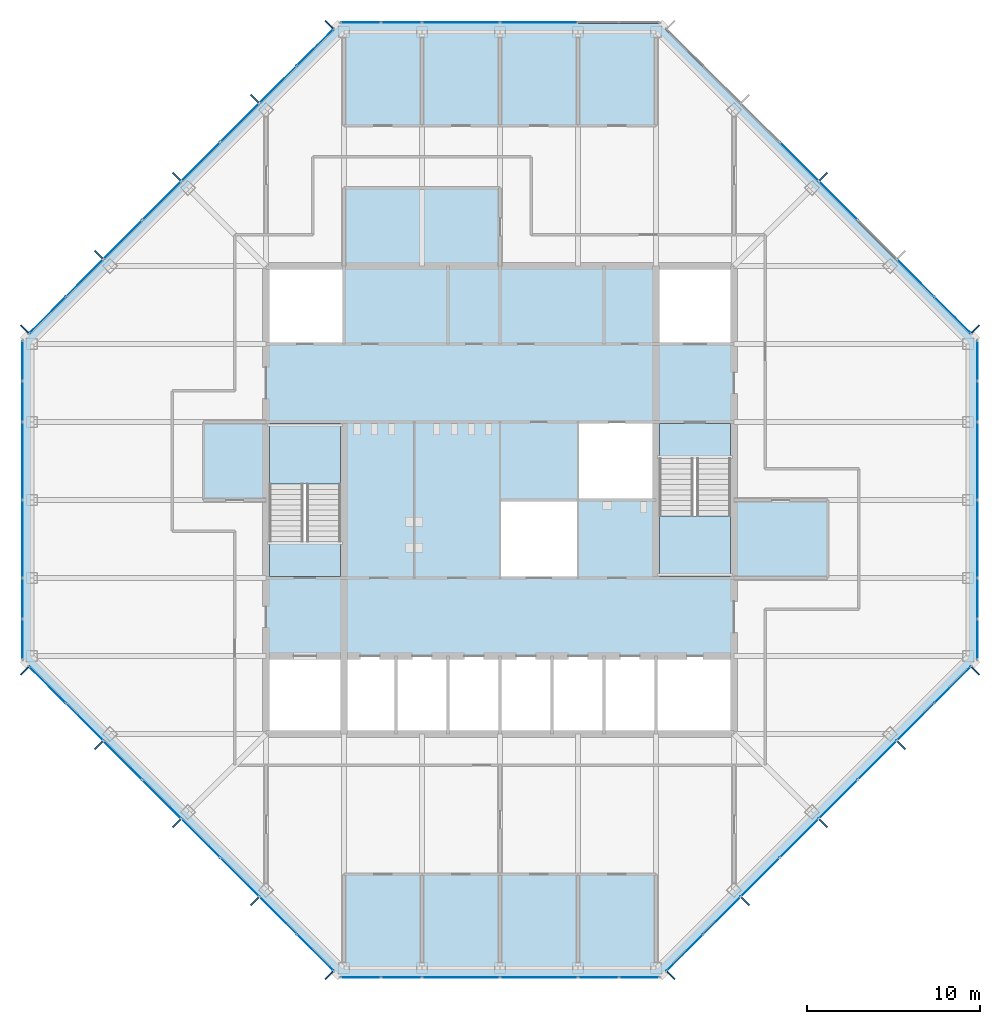
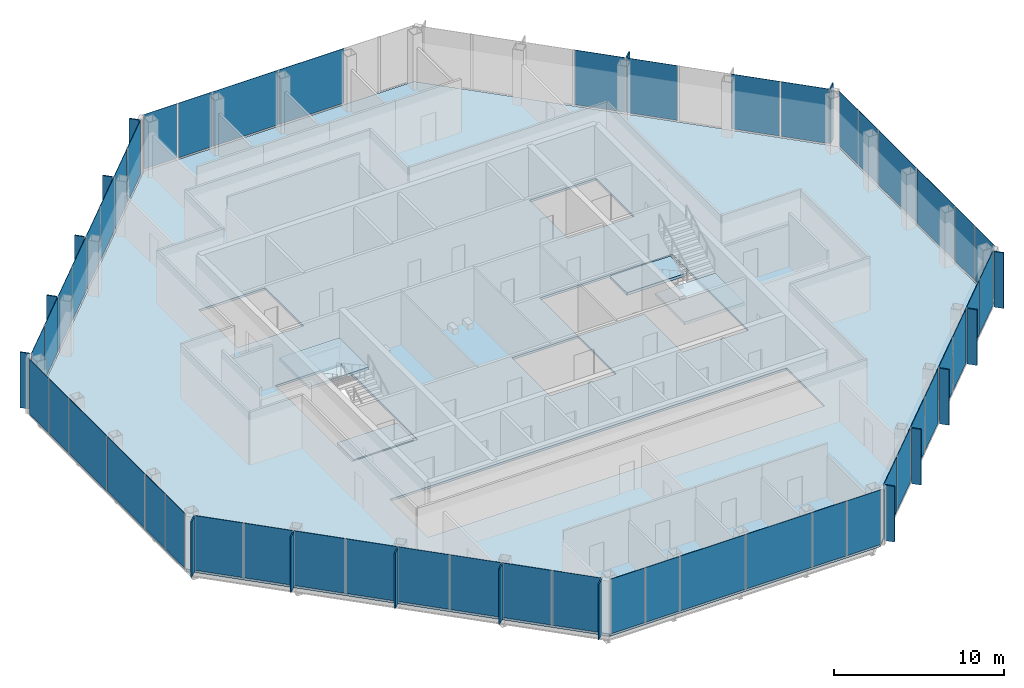
# One storey, part 8 of 14: 67 plates, 5 slabs, 10 elements without a shape of their own.
"""IFC4 building model written with IfcOpenShell, lengths in metres."""

from ifc_helpers import new_model, si_unit, direction, frame, origin, origin_2d, place, context, subcontext, project, spatial, polyline, rectangle, outline, extrude, material, layer, layer_set, type_object, element, aggregate, save


model = new_model("IFC4")

# Units and contexts
model_context = context("Model", 3, precision=1e-05, world=origin(), true_north=direction((0.0, 1.0)))
body_context = subcontext(model_context, "Body", "Model", "MODEL_VIEW")
ifc_project = project(units=[si_unit("LENGTHUNIT", "METRE"), si_unit("AREAUNIT", "SQUARE_METRE"), si_unit("VOLUMEUNIT", "CUBIC_METRE"), si_unit("PLANEANGLEUNIT", "RADIAN"), si_unit("MASSUNIT", "GRAM", prefix="KILO")], contexts=[model_context])

# Site, building, storey
site_placement = place(None, origin())
site = spatial("IfcSite", under=ifc_project, at=site_placement, CompositionType="ELEMENT")
building_placement = place(site_placement, origin())
building = spatial("IfcBuilding", under=site, at=building_placement, Name="Corais Broadcast Tower", CompositionType="ELEMENT")
storey_placement = place(building_placement, frame((0.0, 0.0, 246.60009765625)))
storey = spatial("IfcBuildingStorey", under=building, at=storey_placement, Name="L57", CompositionType="ELEMENT", Elevation=246.60009765625)

# Slab
ifc_material_1 = material(Name="Concrete C30/37", Category="concrete")
ifc_layer_1 = layer(ifc_material_1, 0.159912109375)
ifc_layer_set_1 = layer_set([ifc_layer_1], Name="Concrete C30/37")
slab_type_1 = type_object("IfcSlabType", Name="Composite floor slab 160", PredefinedType="FLOOR", material=ifc_layer_set_1)
slab_1_placement = place(storey_placement, frame((0.0, 0.0, -0.16015625)))
element("IfcSlab", 1, at=slab_1_placement, inside=storey, type_object=slab_type_1, Name="S160 floor slab L57", PredefinedType="FLOOR", context=body_context, shape_type="SweptSolid", body=[
    extrude(outline(polyline([(17.80126953125, -0.47998046875), (-0.47998046875, 17.80126953125), (-0.47998046875, 36.19873046875), (17.80126953125, 54.47998046875), (36.19873046875, 54.47998046875), (54.47998046875, 36.19873046875), (54.47998046875, 17.80126953125), (36.19873046875, -0.47998046875), (17.80126953125, -0.47998046875)]), holes=[polyline([(13.5, 18.0), (40.5, 18.0), (40.5, 13.5), (13.5, 13.5), (13.5, 18.0)]), polyline([(18.0, 22.5), (13.5, 22.5), (13.5, 31.5), (18.0, 31.5), (18.0, 22.5)]), polyline([(18.0, 36.0), (13.5, 36.0), (13.5, 40.5), (18.0, 40.5), (18.0, 36.0)]), polyline([(31.5, 22.5), (27.0, 22.5), (27.0, 27.0), (31.4951171875, 27.0), (31.4951171875, 27.0048828125), (31.5, 27.0048828125), (31.5, 31.5), (40.5, 31.5), (40.5, 22.5), (36.0, 22.5), (36.0, 27.0), (31.5048828125, 27.0), (31.5048828125, 26.9951171875), (31.5, 26.9951171875), (31.5, 22.5)]), polyline([(40.5, 36.0), (36.0, 36.0), (36.0, 40.5), (40.5, 40.5), (40.5, 36.0)])]), origin(), (0.0, 0.0, 1.0), 0.16015625),
])

# Curtain wall, plates
ifc_material_2 = material(Name="Aluminium and glass", Category="aluminium")
curtain_wall_type = type_object("IfcCurtainWallType", Name="Unitised fritted curtain wall CW3", PredefinedType="NOTDEFINED", material=ifc_material_2)
curtain_wall_1_placement = place(storey_placement, origin())
curtain_wall_1 = element("IfcCurtainWall", 2, at=curtain_wall_1_placement, inside=storey, type_object=curtain_wall_type, Name="CW3 curtain wall L57 1", PredefinedType="NOTDEFINED")
ifc_material_3 = material(Name="Ceramic-fritted laminated glass", Category="glass")
ifc_layer_2 = layer(ifc_material_3, 0.02587890625)
ifc_layer_set_2 = layer_set([ifc_layer_2], Name="Ceramic-fritted laminated glass")
plate_type_1 = type_object("IfcPlateType", Name="Fritted glass panel CW3", PredefinedType="CURTAIN_PANEL", material=ifc_layer_set_2)
plate_1_placement = place(storey_placement, frame((16.330322265625, 0.891845703125, 0.06494140625), z_axis=(0.0, 0.0, 1.0), x_axis=(-0.707106781187, 0.707106781187, 0.0)))
plate_1 = element("IfcPlate", 3, at=plate_1_placement, type_object=plate_type_1, Name="CW3 panel 1", PredefinedType="CURTAIN_PANEL", context=body_context, shape_type="SweptSolid", body=[
    extrude(rectangle(XDim=2.9482421875, YDim=0.02587890625, at=origin_2d()), origin(), (0.0, 0.0, 1.0), 3.93505859375),
])
plate_2_placement = place(storey_placement, frame((11.986083984375, 5.236083984375, 0.06494140625), z_axis=(0.0, 0.0, 1.0), x_axis=(-0.707106781187, 0.707106781187, 0.0)))
plate_2 = element("IfcPlate", 4, at=plate_2_placement, type_object=plate_type_1, Name="CW3 panel 3", PredefinedType="CURTAIN_PANEL", context=body_context, shape_type="SweptSolid", body=[
    extrude(rectangle(XDim=3.116943359375, YDim=0.02587890625, at=origin_2d()), origin(), (0.0, 0.0, 1.0), 3.93505859375),
])
plate_3_placement = place(storey_placement, frame((7.486083984375, 9.736083984375, 0.06494140625), z_axis=(0.0, 0.0, 1.0), x_axis=(-0.707106781187, 0.707106781187, 0.0)))
plate_3 = element("IfcPlate", 5, at=plate_3_placement, type_object=plate_type_1, Name="CW3 panel 5", PredefinedType="CURTAIN_PANEL", context=body_context, shape_type="SweptSolid", body=[
    extrude(rectangle(XDim=3.116943359375, YDim=0.02587890625, at=origin_2d()), origin(), (0.0, 0.0, 1.0), 3.93505859375),
])
plate_4_placement = place(storey_placement, frame((3.0341796875, 14.18798828125, 0.06494140625), z_axis=(0.0, 0.0, 1.0), x_axis=(-0.707106781187, 0.707106781187, 0.0)))
plate_4 = element("IfcPlate", 6, at=plate_4_placement, type_object=plate_type_1, Name="CW3 panel 7", PredefinedType="CURTAIN_PANEL", context=body_context, shape_type="SweptSolid", body=[
    extrude(rectangle(XDim=2.98095703125, YDim=0.02587890625, at=origin_2d()), origin(), (0.0, 0.0, 1.0), 3.93505859375),
])

curtain_wall_2_placement = place(storey_placement, origin())
curtain_wall_2 = element("IfcCurtainWall", 7, at=curtain_wall_2_placement, inside=storey, type_object=curtain_wall_type, Name="CW3 curtain wall L57 2", PredefinedType="NOTDEFINED")
plate_5_placement = place(storey_placement, frame((-0.550048828125, 18.970458984375, 0.06494140625), z_axis=(0.0, 0.0, 1.0), x_axis=(0.0, 1.0, 0.0)))
plate_5 = element("IfcPlate", 8, at=plate_5_placement, type_object=plate_type_1, Name="CW3 panel 1", PredefinedType="CURTAIN_PANEL", context=body_context, shape_type="SweptSolid", body=[
    extrude(rectangle(XDim=2.266357421875, YDim=0.02587890625, at=origin_2d()), origin(), (0.0, 0.0, 1.0), 3.93505859375),
])
plate_6_placement = place(storey_placement, frame((-0.550048828125, 24.75, 0.06494140625), z_axis=(0.0, 0.0, 1.0), x_axis=(0.0, 1.0, 0.0)))
plate_6 = element("IfcPlate", 9, at=plate_6_placement, type_object=plate_type_1, Name="CW3 panel 3", PredefinedType="CURTAIN_PANEL", context=body_context, shape_type="SweptSolid", body=[
    extrude(rectangle(XDim=4.43505859375, YDim=0.02587890625, at=origin_2d()), origin(), (0.0, 0.0, 1.0), 3.93505859375),
])
plate_7_placement = place(storey_placement, frame((-0.550048828125, 32.681884765625, 0.06494140625), z_axis=(0.0, 0.0, 1.0), x_axis=(0.0, 1.0, 0.0)))
plate_7 = element("IfcPlate", 10, at=plate_7_placement, type_object=plate_type_1, Name="CW3 panel 5", PredefinedType="CURTAIN_PANEL", context=body_context, shape_type="SweptSolid", body=[
    extrude(rectangle(XDim=2.298828125, YDim=0.02587890625, at=origin_2d()), origin(), (0.0, 0.0, 1.0), 3.93505859375),
])

curtain_wall_3_placement = place(storey_placement, origin())
curtain_wall_3 = element("IfcCurtainWall", 11, at=curtain_wall_3_placement, inside=storey, type_object=curtain_wall_type, Name="CW3 curtain wall L57 3", PredefinedType="NOTDEFINED")
plate_8_placement = place(storey_placement, frame((0.891845703125, 37.669677734375, 0.06494140625), z_axis=(0.0, 0.0, 1.0), x_axis=(0.707106781187, 0.707106781187, 0.0)))
plate_8 = element("IfcPlate", 12, at=plate_8_placement, type_object=plate_type_1, Name="CW3 panel 1", PredefinedType="CURTAIN_PANEL", context=body_context, shape_type="SweptSolid", body=[
    extrude(rectangle(XDim=2.9482421875, YDim=0.02587890625, at=origin_2d()), origin(), (0.0, 0.0, 1.0), 3.93505859375),
])
plate_9_placement = place(storey_placement, frame((5.236083984375, 42.013916015625, 0.06494140625), z_axis=(0.0, 0.0, 1.0), x_axis=(0.707106781187, 0.707106781187, 0.0)))
plate_9 = element("IfcPlate", 13, at=plate_9_placement, type_object=plate_type_1, Name="CW3 panel 3", PredefinedType="CURTAIN_PANEL", context=body_context, shape_type="SweptSolid", body=[
    extrude(rectangle(XDim=3.116943359375, YDim=0.02587890625, at=origin_2d()), origin(), (0.0, 0.0, 1.0), 3.93505859375),
])
plate_10_placement = place(storey_placement, frame((9.736083984375, 46.513916015625, 0.06494140625), z_axis=(0.0, 0.0, 1.0), x_axis=(0.707106781187, 0.707106781187, 0.0)))
plate_10 = element("IfcPlate", 14, at=plate_10_placement, type_object=plate_type_1, Name="CW3 panel 5", PredefinedType="CURTAIN_PANEL", context=body_context, shape_type="SweptSolid", body=[
    extrude(rectangle(XDim=3.116943359375, YDim=0.02587890625, at=origin_2d()), origin(), (0.0, 0.0, 1.0), 3.93505859375),
])
plate_11_placement = place(storey_placement, frame((14.18798828125, 50.9658203125, 0.06494140625), z_axis=(0.0, 0.0, 1.0), x_axis=(0.707106781187, 0.707106781187, 0.0)))
plate_11 = element("IfcPlate", 15, at=plate_11_placement, type_object=plate_type_1, Name="CW3 panel 7", PredefinedType="CURTAIN_PANEL", context=body_context, shape_type="SweptSolid", body=[
    extrude(rectangle(XDim=2.98095703125, YDim=0.02587890625, at=origin_2d()), origin(), (0.0, 0.0, 1.0), 3.93505859375),
])

curtain_wall_4_placement = place(storey_placement, origin())
curtain_wall_4 = element("IfcCurtainWall", 16, at=curtain_wall_4_placement, inside=storey, type_object=curtain_wall_type, Name="CW3 curtain wall L57 4", PredefinedType="NOTDEFINED")
plate_12_placement = place(storey_placement, frame((18.970458984375, 54.550048828125, 0.06494140625), z_axis=(0.0, 0.0, 1.0), x_axis=(1.0, 0.0, 0.0)))
plate_12 = element("IfcPlate", 17, at=plate_12_placement, type_object=plate_type_1, Name="CW3 panel 1", PredefinedType="CURTAIN_PANEL", context=body_context, shape_type="SweptSolid", body=[
    extrude(rectangle(XDim=2.266357421875, YDim=0.02587890625, at=origin_2d()), origin(), (0.0, 0.0, 1.0), 3.93505859375),
])
plate_13_placement = place(storey_placement, frame((24.75, 54.550048828125, 0.06494140625), z_axis=(0.0, 0.0, 1.0), x_axis=(1.0, 0.0, 0.0)))
plate_13 = element("IfcPlate", 18, at=plate_13_placement, type_object=plate_type_1, Name="CW3 panel 3", PredefinedType="CURTAIN_PANEL", context=body_context, shape_type="SweptSolid", body=[
    extrude(rectangle(XDim=4.43505859375, YDim=0.02587890625, at=origin_2d()), origin(), (0.0, 0.0, 1.0), 3.93505859375),
])

curtain_wall_5_placement = place(storey_placement, origin())
curtain_wall_5 = element("IfcCurtainWall", 19, at=curtain_wall_5_placement, inside=storey, type_object=curtain_wall_type, Name="CW3 curtain wall L57 5", PredefinedType="NOTDEFINED")
plate_14_placement = place(storey_placement, frame((46.513916015625, 44.263916015625, 0.06494140625), z_axis=(0.0, 0.0, 1.0), x_axis=(0.707106781187, -0.707106781187, 0.0)))
plate_14 = element("IfcPlate", 20, at=plate_14_placement, type_object=plate_type_1, Name="CW3 panel 5", PredefinedType="CURTAIN_PANEL", context=body_context, shape_type="SweptSolid", body=[
    extrude(rectangle(XDim=3.116943359375, YDim=0.02587890625, at=origin_2d()), origin(), (0.0, 0.0, 1.0), 3.93505859375),
])
plate_15_placement = place(storey_placement, frame((50.9658203125, 39.81201171875, 0.06494140625), z_axis=(0.0, 0.0, 1.0), x_axis=(0.707106781187, -0.707106781187, 0.0)))
plate_15 = element("IfcPlate", 21, at=plate_15_placement, type_object=plate_type_1, Name="CW3 panel 7", PredefinedType="CURTAIN_PANEL", context=body_context, shape_type="SweptSolid", body=[
    extrude(rectangle(XDim=2.98095703125, YDim=0.02587890625, at=origin_2d()), origin(), (0.0, 0.0, 1.0), 3.93505859375),
])

curtain_wall_6_placement = place(storey_placement, origin())
curtain_wall_6 = element("IfcCurtainWall", 22, at=curtain_wall_6_placement, inside=storey, type_object=curtain_wall_type, Name="CW3 curtain wall L57 6", PredefinedType="NOTDEFINED")
plate_16_placement = place(storey_placement, frame((54.550048828125, 35.029541015625, 0.06494140625), z_axis=(0.0, 0.0, 1.0), x_axis=(0.0, -1.0, 0.0)))
plate_16 = element("IfcPlate", 23, at=plate_16_placement, type_object=plate_type_1, Name="CW3 panel 1", PredefinedType="CURTAIN_PANEL", context=body_context, shape_type="SweptSolid", body=[
    extrude(rectangle(XDim=2.266357421875, YDim=0.02587890625, at=origin_2d()), origin(), (0.0, 0.0, 1.0), 3.93505859375),
])
plate_17_placement = place(storey_placement, frame((54.550048828125, 29.25, 0.06494140625), z_axis=(0.0, 0.0, 1.0), x_axis=(0.0, -1.0, 0.0)))
plate_17 = element("IfcPlate", 24, at=plate_17_placement, type_object=plate_type_1, Name="CW3 panel 3", PredefinedType="CURTAIN_PANEL", context=body_context, shape_type="SweptSolid", body=[
    extrude(rectangle(XDim=4.43505859375, YDim=0.02587890625, at=origin_2d()), origin(), (0.0, 0.0, 1.0), 3.93505859375),
])
plate_18_placement = place(storey_placement, frame((54.550048828125, 21.318115234375, 0.06494140625), z_axis=(0.0, 0.0, 1.0), x_axis=(0.0, -1.0, 0.0)))
plate_18 = element("IfcPlate", 25, at=plate_18_placement, type_object=plate_type_1, Name="CW3 panel 5", PredefinedType="CURTAIN_PANEL", context=body_context, shape_type="SweptSolid", body=[
    extrude(rectangle(XDim=2.298828125, YDim=0.02587890625, at=origin_2d()), origin(), (0.0, 0.0, 1.0), 3.93505859375),
])

curtain_wall_7_placement = place(storey_placement, origin())
curtain_wall_7 = element("IfcCurtainWall", 26, at=curtain_wall_7_placement, inside=storey, type_object=curtain_wall_type, Name="CW3 curtain wall L57 7", PredefinedType="NOTDEFINED")
plate_19_placement = place(storey_placement, frame((53.108154296875, 16.330322265625, 0.06494140625), z_axis=(0.0, 0.0, 1.0), x_axis=(-0.707106781187, -0.707106781187, 0.0)))
plate_19 = element("IfcPlate", 27, at=plate_19_placement, type_object=plate_type_1, Name="CW3 panel 1", PredefinedType="CURTAIN_PANEL", context=body_context, shape_type="SweptSolid", body=[
    extrude(rectangle(XDim=2.9482421875, YDim=0.02587890625, at=origin_2d()), origin(), (0.0, 0.0, 1.0), 3.93505859375),
])
plate_20_placement = place(storey_placement, frame((48.763916015625, 11.986083984375, 0.06494140625), z_axis=(0.0, 0.0, 1.0), x_axis=(-0.707106781187, -0.707106781187, 0.0)))
plate_20 = element("IfcPlate", 28, at=plate_20_placement, type_object=plate_type_1, Name="CW3 panel 3", PredefinedType="CURTAIN_PANEL", context=body_context, shape_type="SweptSolid", body=[
    extrude(rectangle(XDim=3.116943359375, YDim=0.02587890625, at=origin_2d()), origin(), (0.0, 0.0, 1.0), 3.93505859375),
])
plate_21_placement = place(storey_placement, frame((44.263916015625, 7.486083984375, 0.06494140625), z_axis=(0.0, 0.0, 1.0), x_axis=(-0.707106781187, -0.707106781187, 0.0)))
plate_21 = element("IfcPlate", 29, at=plate_21_placement, type_object=plate_type_1, Name="CW3 panel 5", PredefinedType="CURTAIN_PANEL", context=body_context, shape_type="SweptSolid", body=[
    extrude(rectangle(XDim=3.116943359375, YDim=0.02587890625, at=origin_2d()), origin(), (0.0, 0.0, 1.0), 3.93505859375),
])
plate_22_placement = place(storey_placement, frame((39.81201171875, 3.0341796875, 0.06494140625), z_axis=(0.0, 0.0, 1.0), x_axis=(-0.707106781187, -0.707106781187, 0.0)))
plate_22 = element("IfcPlate", 30, at=plate_22_placement, type_object=plate_type_1, Name="CW3 panel 7", PredefinedType="CURTAIN_PANEL", context=body_context, shape_type="SweptSolid", body=[
    extrude(rectangle(XDim=2.98095703125, YDim=0.02587890625, at=origin_2d()), origin(), (0.0, 0.0, 1.0), 3.93505859375),
])

curtain_wall_8_placement = place(storey_placement, origin())
curtain_wall_8 = element("IfcCurtainWall", 31, at=curtain_wall_8_placement, inside=storey, type_object=curtain_wall_type, Name="CW3 curtain wall L57 8", PredefinedType="NOTDEFINED")
plate_23_placement = place(storey_placement, frame((35.029541015625, -0.550048828125, 0.06494140625), z_axis=(0.0, 0.0, 1.0), x_axis=(-1.0, 0.0, 0.0)))
plate_23 = element("IfcPlate", 32, at=plate_23_placement, type_object=plate_type_1, Name="CW3 panel 1", PredefinedType="CURTAIN_PANEL", context=body_context, shape_type="SweptSolid", body=[
    extrude(rectangle(XDim=2.266357421875, YDim=0.02587890625, at=origin_2d()), origin(), (0.0, 0.0, 1.0), 3.93505859375),
])
plate_24_placement = place(storey_placement, frame((29.25, -0.550048828125, 0.06494140625), z_axis=(0.0, 0.0, 1.0), x_axis=(-1.0, 0.0, 0.0)))
plate_24 = element("IfcPlate", 33, at=plate_24_placement, type_object=plate_type_1, Name="CW3 panel 3", PredefinedType="CURTAIN_PANEL", context=body_context, shape_type="SweptSolid", body=[
    extrude(rectangle(XDim=4.43505859375, YDim=0.02587890625, at=origin_2d()), origin(), (0.0, 0.0, 1.0), 3.93505859375),
])
plate_25_placement = place(storey_placement, frame((21.318115234375, -0.550048828125, 0.06494140625), z_axis=(0.0, 0.0, 1.0), x_axis=(-1.0, 0.0, 0.0)))
plate_25 = element("IfcPlate", 34, at=plate_25_placement, type_object=plate_type_1, Name="CW3 panel 5", PredefinedType="CURTAIN_PANEL", context=body_context, shape_type="SweptSolid", body=[
    extrude(rectangle(XDim=2.298828125, YDim=0.02587890625, at=origin_2d()), origin(), (0.0, 0.0, 1.0), 3.93505859375),
])

# Plate
ifc_material_4 = material(Name="Clear laminated glass", Category="glass")
ifc_layer_3 = layer(ifc_material_4, 0.030029296875)
ifc_layer_set_3 = layer_set([ifc_layer_3], Name="Clear laminated glass")
plate_type_2 = type_object("IfcPlateType", Name="Operable glass panel CW3", PredefinedType="CURTAIN_PANEL", material=ifc_layer_set_3)
plate_26_placement = place(storey_placement, frame((14.18798828125, 3.0341796875, 0.06494140625), z_axis=(0.0, 0.0, 1.0), x_axis=(-0.707106781187, 0.707106781187, 0.0)))
plate_26 = element("IfcPlate", 35, at=plate_26_placement, type_object=plate_type_2, Name="CW3 operable panel 2", PredefinedType="CURTAIN_PANEL", context=body_context, shape_type="SweptSolid", body=[
    extrude(rectangle(XDim=2.98095703125, YDim=0.030029296875, at=origin_2d()), origin(), (0.0, 0.0, 1.0), 3.93505859375),
])

plate_27_placement = place(storey_placement, frame((9.736083984375, 7.486083984375, 0.06494140625), z_axis=(0.0, 0.0, 1.0), x_axis=(-0.707106781187, 0.707106781187, 0.0)))
plate_27 = element("IfcPlate", 36, at=plate_27_placement, type_object=plate_type_2, Name="CW3 operable panel 4", PredefinedType="CURTAIN_PANEL", context=body_context, shape_type="SweptSolid", body=[
    extrude(rectangle(XDim=3.116943359375, YDim=0.030029296875, at=origin_2d()), origin(), (0.0, 0.0, 1.0), 3.93505859375),
])

plate_28_placement = place(storey_placement, frame((5.236083984375, 11.986083984375, 0.06494140625), z_axis=(0.0, 0.0, 1.0), x_axis=(-0.707106781187, 0.707106781187, 0.0)))
plate_28 = element("IfcPlate", 37, at=plate_28_placement, type_object=plate_type_2, Name="CW3 operable panel 6", PredefinedType="CURTAIN_PANEL", context=body_context, shape_type="SweptSolid", body=[
    extrude(rectangle(XDim=3.116943359375, YDim=0.030029296875, at=origin_2d()), origin(), (0.0, 0.0, 1.0), 3.93505859375),
])

plate_29_placement = place(storey_placement, frame((0.89208984375, 16.330322265625, 0.06494140625), z_axis=(0.0, 0.0, 1.0), x_axis=(-0.707106781187, 0.707106781187, 0.0)))
plate_29 = element("IfcPlate", 38, at=plate_29_placement, type_object=plate_type_2, Name="CW3 operable panel 8", PredefinedType="CURTAIN_PANEL", context=body_context, shape_type="SweptSolid", body=[
    extrude(rectangle(XDim=2.948486328125, YDim=0.030029296875, at=origin_2d()), origin(), (0.0, 0.0, 1.0), 3.93505859375),
])

aggregate(curtain_wall_1, [plate_1, plate_26, plate_2, plate_27, plate_3, plate_28, plate_4, plate_29])

plate_30_placement = place(storey_placement, frame((-0.550048828125, 21.318115234375, 0.06494140625), z_axis=(0.0, 0.0, 1.0), x_axis=(0.0, 1.0, 0.0)))
plate_30 = element("IfcPlate", 39, at=plate_30_placement, type_object=plate_type_2, Name="CW3 operable panel 2", PredefinedType="CURTAIN_PANEL", context=body_context, shape_type="SweptSolid", body=[
    extrude(rectangle(XDim=2.298828125, YDim=0.030029296875, at=origin_2d()), origin(), (0.0, 0.0, 1.0), 3.93505859375),
])

plate_31_placement = place(storey_placement, frame((-0.550048828125, 29.25, 0.06494140625), z_axis=(0.0, 0.0, 1.0), x_axis=(0.0, 1.0, 0.0)))
plate_31 = element("IfcPlate", 40, at=plate_31_placement, type_object=plate_type_2, Name="CW3 operable panel 4", PredefinedType="CURTAIN_PANEL", context=body_context, shape_type="SweptSolid", body=[
    extrude(rectangle(XDim=4.43505859375, YDim=0.030029296875, at=origin_2d()), origin(), (0.0, 0.0, 1.0), 3.93505859375),
])

plate_32_placement = place(storey_placement, frame((-0.550048828125, 35.029541015625, 0.06494140625), z_axis=(0.0, 0.0, 1.0), x_axis=(0.0, 1.0, 0.0)))
plate_32 = element("IfcPlate", 41, at=plate_32_placement, type_object=plate_type_2, Name="CW3 operable panel 6", PredefinedType="CURTAIN_PANEL", context=body_context, shape_type="SweptSolid", body=[
    extrude(rectangle(XDim=2.266357421875, YDim=0.030029296875, at=origin_2d()), origin(), (0.0, 0.0, 1.0), 3.93505859375),
])

aggregate(curtain_wall_2, [plate_5, plate_30, plate_6, plate_31, plate_7, plate_32])

plate_33_placement = place(storey_placement, frame((3.0341796875, 39.81201171875, 0.06494140625), z_axis=(0.0, 0.0, 1.0), x_axis=(0.707106781187, 0.707106781187, 0.0)))
plate_33 = element("IfcPlate", 42, at=plate_33_placement, type_object=plate_type_2, Name="CW3 operable panel 2", PredefinedType="CURTAIN_PANEL", context=body_context, shape_type="SweptSolid", body=[
    extrude(rectangle(XDim=2.98095703125, YDim=0.030029296875, at=origin_2d()), origin(), (0.0, 0.0, 1.0), 3.93505859375),
])

plate_34_placement = place(storey_placement, frame((7.486083984375, 44.263916015625, 0.06494140625), z_axis=(0.0, 0.0, 1.0), x_axis=(0.707106781187, 0.707106781187, 0.0)))
plate_34 = element("IfcPlate", 43, at=plate_34_placement, type_object=plate_type_2, Name="CW3 operable panel 4", PredefinedType="CURTAIN_PANEL", context=body_context, shape_type="SweptSolid", body=[
    extrude(rectangle(XDim=3.116943359375, YDim=0.030029296875, at=origin_2d()), origin(), (0.0, 0.0, 1.0), 3.93505859375),
])

plate_35_placement = place(storey_placement, frame((11.986083984375, 48.763916015625, 0.06494140625), z_axis=(0.0, 0.0, 1.0), x_axis=(0.707106781187, 0.707106781187, 0.0)))
plate_35 = element("IfcPlate", 44, at=plate_35_placement, type_object=plate_type_2, Name="CW3 operable panel 6", PredefinedType="CURTAIN_PANEL", context=body_context, shape_type="SweptSolid", body=[
    extrude(rectangle(XDim=3.116943359375, YDim=0.030029296875, at=origin_2d()), origin(), (0.0, 0.0, 1.0), 3.93505859375),
])

plate_36_placement = place(storey_placement, frame((16.330322265625, 53.10791015625, 0.06494140625), z_axis=(0.0, 0.0, 1.0), x_axis=(0.707106781187, 0.707106781187, 0.0)))
plate_36 = element("IfcPlate", 45, at=plate_36_placement, type_object=plate_type_2, Name="CW3 operable panel 8", PredefinedType="CURTAIN_PANEL", context=body_context, shape_type="SweptSolid", body=[
    extrude(rectangle(XDim=2.948486328125, YDim=0.030029296875, at=origin_2d()), origin(), (0.0, 0.0, 1.0), 3.93505859375),
])

aggregate(curtain_wall_3, [plate_8, plate_33, plate_9, plate_34, plate_10, plate_35, plate_11, plate_36])

plate_37_placement = place(storey_placement, frame((21.318115234375, 54.550048828125, 0.06494140625), z_axis=(0.0, 0.0, 1.0), x_axis=(1.0, 0.0, 0.0)))
plate_37 = element("IfcPlate", 46, at=plate_37_placement, type_object=plate_type_2, Name="CW3 operable panel 2", PredefinedType="CURTAIN_PANEL", context=body_context, shape_type="SweptSolid", body=[
    extrude(rectangle(XDim=2.298828125, YDim=0.030029296875, at=origin_2d()), origin(), (0.0, 0.0, 1.0), 3.93505859375),
])

plate_38_placement = place(storey_placement, frame((29.25, 54.550048828125, 0.06494140625), z_axis=(0.0, 0.0, 1.0), x_axis=(1.0, 0.0, 0.0)))
plate_38 = element("IfcPlate", 47, at=plate_38_placement, type_object=plate_type_2, Name="CW3 operable panel 4", PredefinedType="CURTAIN_PANEL", context=body_context, shape_type="SweptSolid", body=[
    extrude(rectangle(XDim=4.43505859375, YDim=0.030029296875, at=origin_2d()), origin(), (0.0, 0.0, 1.0), 3.93505859375),
])

aggregate(curtain_wall_4, [plate_12, plate_37, plate_13, plate_38])

plate_39_placement = place(storey_placement, frame((44.263916015625, 46.513916015625, 0.06494140625), z_axis=(0.0, 0.0, 1.0), x_axis=(0.707106781187, -0.707106781187, 0.0)))
plate_39 = element("IfcPlate", 48, at=plate_39_placement, type_object=plate_type_2, Name="CW3 operable panel 4", PredefinedType="CURTAIN_PANEL", context=body_context, shape_type="SweptSolid", body=[
    extrude(rectangle(XDim=3.116943359375, YDim=0.030029296875, at=origin_2d()), origin(), (0.0, 0.0, 1.0), 3.93505859375),
])

plate_40_placement = place(storey_placement, frame((53.10791015625, 37.669677734375, 0.06494140625), z_axis=(0.0, 0.0, 1.0), x_axis=(0.707106781187, -0.707106781187, 0.0)))
plate_40 = element("IfcPlate", 49, at=plate_40_placement, type_object=plate_type_2, Name="CW3 operable panel 8", PredefinedType="CURTAIN_PANEL", context=body_context, shape_type="SweptSolid", body=[
    extrude(rectangle(XDim=2.948486328125, YDim=0.030029296875, at=origin_2d()), origin(), (0.0, 0.0, 1.0), 3.93505859375),
])

aggregate(curtain_wall_5, [plate_39, plate_14, plate_15, plate_40])

plate_41_placement = place(storey_placement, frame((54.550048828125, 32.681884765625, 0.06494140625), z_axis=(0.0, 0.0, 1.0), x_axis=(0.0, -1.0, 0.0)))
plate_41 = element("IfcPlate", 50, at=plate_41_placement, type_object=plate_type_2, Name="CW3 operable panel 2", PredefinedType="CURTAIN_PANEL", context=body_context, shape_type="SweptSolid", body=[
    extrude(rectangle(XDim=2.298828125, YDim=0.030029296875, at=origin_2d()), origin(), (0.0, 0.0, 1.0), 3.93505859375),
])

plate_42_placement = place(storey_placement, frame((54.550048828125, 24.75, 0.06494140625), z_axis=(0.0, 0.0, 1.0), x_axis=(0.0, -1.0, 0.0)))
plate_42 = element("IfcPlate", 51, at=plate_42_placement, type_object=plate_type_2, Name="CW3 operable panel 4", PredefinedType="CURTAIN_PANEL", context=body_context, shape_type="SweptSolid", body=[
    extrude(rectangle(XDim=4.43505859375, YDim=0.030029296875, at=origin_2d()), origin(), (0.0, 0.0, 1.0), 3.93505859375),
])

plate_43_placement = place(storey_placement, frame((54.550048828125, 18.970458984375, 0.06494140625), z_axis=(0.0, 0.0, 1.0), x_axis=(0.0, -1.0, 0.0)))
plate_43 = element("IfcPlate", 52, at=plate_43_placement, type_object=plate_type_2, Name="CW3 operable panel 6", PredefinedType="CURTAIN_PANEL", context=body_context, shape_type="SweptSolid", body=[
    extrude(rectangle(XDim=2.266357421875, YDim=0.030029296875, at=origin_2d()), origin(), (0.0, 0.0, 1.0), 3.93505859375),
])

aggregate(curtain_wall_6, [plate_16, plate_41, plate_17, plate_42, plate_18, plate_43])

plate_44_placement = place(storey_placement, frame((50.9658203125, 14.18798828125, 0.06494140625), z_axis=(0.0, 0.0, 1.0), x_axis=(-0.707106781187, -0.707106781187, 0.0)))
plate_44 = element("IfcPlate", 53, at=plate_44_placement, type_object=plate_type_2, Name="CW3 operable panel 2", PredefinedType="CURTAIN_PANEL", context=body_context, shape_type="SweptSolid", body=[
    extrude(rectangle(XDim=2.98095703125, YDim=0.030029296875, at=origin_2d()), origin(), (0.0, 0.0, 1.0), 3.93505859375),
])

plate_45_placement = place(storey_placement, frame((46.513916015625, 9.736083984375, 0.06494140625), z_axis=(0.0, 0.0, 1.0), x_axis=(-0.707106781187, -0.707106781187, 0.0)))
plate_45 = element("IfcPlate", 54, at=plate_45_placement, type_object=plate_type_2, Name="CW3 operable panel 4", PredefinedType="CURTAIN_PANEL", context=body_context, shape_type="SweptSolid", body=[
    extrude(rectangle(XDim=3.116943359375, YDim=0.030029296875, at=origin_2d()), origin(), (0.0, 0.0, 1.0), 3.93505859375),
])

plate_46_placement = place(storey_placement, frame((42.013916015625, 5.236083984375, 0.06494140625), z_axis=(0.0, 0.0, 1.0), x_axis=(-0.707106781187, -0.707106781187, 0.0)))
plate_46 = element("IfcPlate", 55, at=plate_46_placement, type_object=plate_type_2, Name="CW3 operable panel 6", PredefinedType="CURTAIN_PANEL", context=body_context, shape_type="SweptSolid", body=[
    extrude(rectangle(XDim=3.116943359375, YDim=0.030029296875, at=origin_2d()), origin(), (0.0, 0.0, 1.0), 3.93505859375),
])

plate_47_placement = place(storey_placement, frame((37.669677734375, 0.89208984375, 0.06494140625), z_axis=(0.0, 0.0, 1.0), x_axis=(-0.707106781187, -0.707106781187, 0.0)))
plate_47 = element("IfcPlate", 56, at=plate_47_placement, type_object=plate_type_2, Name="CW3 operable panel 8", PredefinedType="CURTAIN_PANEL", context=body_context, shape_type="SweptSolid", body=[
    extrude(rectangle(XDim=2.948486328125, YDim=0.030029296875, at=origin_2d()), origin(), (0.0, 0.0, 1.0), 3.93505859375),
])

aggregate(curtain_wall_7, [plate_19, plate_44, plate_20, plate_45, plate_21, plate_46, plate_22, plate_47])

plate_48_placement = place(storey_placement, frame((32.681884765625, -0.550048828125, 0.06494140625), z_axis=(0.0, 0.0, 1.0), x_axis=(-1.0, 0.0, 0.0)))
plate_48 = element("IfcPlate", 57, at=plate_48_placement, type_object=plate_type_2, Name="CW3 operable panel 2", PredefinedType="CURTAIN_PANEL", context=body_context, shape_type="SweptSolid", body=[
    extrude(rectangle(XDim=2.298828125, YDim=0.030029296875, at=origin_2d()), origin(), (0.0, 0.0, 1.0), 3.93505859375),
])

plate_49_placement = place(storey_placement, frame((24.75, -0.550048828125, 0.06494140625), z_axis=(0.0, 0.0, 1.0), x_axis=(-1.0, 0.0, 0.0)))
plate_49 = element("IfcPlate", 58, at=plate_49_placement, type_object=plate_type_2, Name="CW3 operable panel 4", PredefinedType="CURTAIN_PANEL", context=body_context, shape_type="SweptSolid", body=[
    extrude(rectangle(XDim=4.43505859375, YDim=0.030029296875, at=origin_2d()), origin(), (0.0, 0.0, 1.0), 3.93505859375),
])

plate_50_placement = place(storey_placement, frame((18.970458984375, -0.550048828125, 0.06494140625), z_axis=(0.0, 0.0, 1.0), x_axis=(-1.0, 0.0, 0.0)))
plate_50 = element("IfcPlate", 59, at=plate_50_placement, type_object=plate_type_2, Name="CW3 operable panel 6", PredefinedType="CURTAIN_PANEL", context=body_context, shape_type="SweptSolid", body=[
    extrude(rectangle(XDim=2.266357421875, YDim=0.030029296875, at=origin_2d()), origin(), (0.0, 0.0, 1.0), 3.93505859375),
])

aggregate(curtain_wall_8, [plate_23, plate_48, plate_24, plate_49, plate_25, plate_50])

# Stair, slabs
ifc_material_5 = material(Name="Concrete C30/37", Category="concrete")
stair_type = type_object("IfcStairType", Name="Half-turn stair 4000", PredefinedType="HALF_TURN_STAIR", material=ifc_material_5)
stair_1_placement = place(storey_placement, origin())
stair_1 = element("IfcStair", 60, at=stair_1_placement, inside=storey, type_object=stair_type, Name="Stair A L57", PredefinedType="HALF_TURN_STAIR")
ifc_material_6 = material(Name="Concrete C30/37", Category="concrete")
ifc_layer_4 = layer(ifc_material_6, 0.199951171875)
ifc_layer_set_4 = layer_set([ifc_layer_4], Name="Concrete C30/37")
slab_type_2 = type_object("IfcSlabType", Name="Stair landing 200", PredefinedType="LANDING", material=ifc_layer_set_4)
slab_2_placement = place(storey_placement, frame((0.0, 0.0, -0.2001953125)))
slab_2 = element("IfcSlab", 61, at=slab_2_placement, type_object=slab_type_2, Name="STA landing 1", PredefinedType="LANDING", context=body_context, shape_type="SweptSolid", body=[
    extrude(outline(polyline([(13.699951171875, 22.60009765625), (17.800048828125, 22.60009765625), (17.800048828125, 24.60009765625), (13.699951171875, 24.60009765625), (13.699951171875, 22.60009765625)])), origin(), (0.0, 0.0, 1.0), 0.2001953125),
])
slab_3_placement = place(storey_placement, frame((0.0, 0.0, 1.7998046875)))
slab_3 = element("IfcSlab", 62, at=slab_3_placement, type_object=slab_type_2, Name="STA landing 2", PredefinedType="LANDING", context=body_context, shape_type="SweptSolid", body=[
    extrude(outline(polyline([(13.699951171875, 27.922119140625), (17.800048828125, 27.922119140625), (17.800048828125, 31.39990234375), (13.699951171875, 31.39990234375), (13.699951171875, 27.922119140625)])), origin(), (0.0, 0.0, 1.0), 0.2001953125),
])
aggregate(stair_1, [slab_2, slab_3])

stair_2_placement = place(storey_placement, origin())
stair_2 = element("IfcStair", 63, at=stair_2_placement, inside=storey, type_object=stair_type, Name="Stair B L57", PredefinedType="HALF_TURN_STAIR")
slab_4_placement = place(storey_placement, frame((0.0, 0.0, -0.2001953125)))
slab_4 = element("IfcSlab", 64, at=slab_4_placement, type_object=slab_type_2, Name="STB landing 1", PredefinedType="LANDING", context=body_context, shape_type="SweptSolid", body=[
    extrude(outline(polyline([(36.199951171875, 29.39990234375), (40.300048828125, 29.39990234375), (40.300048828125, 31.39990234375), (36.199951171875, 31.39990234375), (36.199951171875, 29.39990234375)])), origin(), (0.0, 0.0, 1.0), 0.2001953125),
])
slab_5_placement = place(storey_placement, frame((0.0, 0.0, 1.7998046875)))
slab_5 = element("IfcSlab", 65, at=slab_5_placement, type_object=slab_type_2, Name="STB landing 2", PredefinedType="LANDING", context=body_context, shape_type="SweptSolid", body=[
    extrude(outline(polyline([(36.199951171875, 22.60009765625), (40.300048828125, 22.60009765625), (40.300048828125, 26.077880859375), (36.199951171875, 26.077880859375), (36.199951171875, 22.60009765625)])), origin(), (0.0, 0.0, 1.0), 0.2001953125),
])
aggregate(stair_2, [slab_4, slab_5])

# Plates
ifc_material_7 = material(Name="Granite stone cladding", Category="masonry")
ifc_layer_5 = layer(ifc_material_7, 0.080078125)
ifc_layer_set_5 = layer_set([ifc_layer_5], Name="Granite stone cladding")
plate_type_3 = type_object("IfcPlateType", Name="Stone screen fin 80x600", PredefinedType="USERDEFINED", material=ifc_layer_set_5)
for number, where, z_axis, x_axis, name in (
    (66, (17.129150390625, -0.43994140625, 0.0), (0.0, 0.0, 1.0), (-0.707106781187, 0.707106781187, 0.0), "SF1 stone screen fin L57"),
    (67, (12.844482421875, 3.844482421875, 0.0), (0.0, 0.0, 1.0), (-0.707106781187, 0.707106781187, 0.0), "SF1 stone screen fin L57"),
    (68, (8.344482421875, 8.344482421875, 0.0), (0.0, 0.0, 1.0), (-0.707106781187, 0.707106781187, 0.0), "SF1 stone screen fin L57"),
    (69, (3.844482421875, 12.844482421875, 0.0), (0.0, 0.0, 1.0), (-0.707106781187, 0.707106781187, 0.0), "SF1 stone screen fin L57"),
    (70, (-0.43994140625, 17.129150390625, 0.0), (0.0, 0.0, 1.0), (-0.707106781187, 0.707106781187, 0.0), "SF1 stone screen fin L57"),
    (71, (-0.43994140625, 36.870849609375, 0.0), (0.0, 0.0, 1.0), (0.707106781187, 0.707106781187, 0.0), "SF1 stone screen fin L57"),
    (72, (3.844482421875, 41.155517578125, 0.0), (0.0, 0.0, 1.0), (0.707106781187, 0.707106781187, 0.0), "SF1 stone screen fin L57"),
    (73, (8.344482421875, 45.655517578125, 0.0), (0.0, 0.0, 1.0), (0.707106781187, 0.707106781187, 0.0), "SF1 stone screen fin L57"),
    (74, (12.844482421875, 50.155517578125, 0.0), (0.0, 0.0, 1.0), (0.707106781187, 0.707106781187, 0.0), "SF1 stone screen fin L57"),
    (75, (17.129150390625, 54.43994140625, 0.0), (0.0, 0.0, 1.0), (0.707106781187, 0.707106781187, 0.0), "SF1 stone screen fin L57"),
    (76, (45.655517578125, 45.655517578125, 0.0), (0.0, 0.0, 1.0), (0.707106781187, -0.707106781187, 0.0), "SF1 stone screen fin L57"),
    (77, (54.43994140625, 36.870849609375, 0.0), (0.0, 0.0, 1.0), (0.707106781187, -0.707106781187, 0.0), "SF1 stone screen fin L57"),
    (78, (54.43994140625, 17.129150390625, 0.0), (0.0, 0.0, 1.0), (-0.707106781187, -0.707106781187, 0.0), "SF1 stone screen fin L57"),
    (79, (50.155517578125, 12.844482421875, 0.0), (0.0, 0.0, 1.0), (-0.707106781187, -0.707106781187, 0.0), "SF1 stone screen fin L57"),
    (80, (45.655517578125, 8.344482421875, 0.0), (0.0, 0.0, 1.0), (-0.707106781187, -0.707106781187, 0.0), "SF1 stone screen fin L57"),
    (81, (41.155517578125, 3.844482421875, 0.0), (0.0, 0.0, 1.0), (-0.707106781187, -0.707106781187, 0.0), "SF1 stone screen fin L57"),
    (82, (36.870849609375, -0.43994140625, 0.0), (0.0, 0.0, 1.0), (-0.707106781187, -0.707106781187, 0.0), "SF1 stone screen fin L57"),
):
    element("IfcPlate", number, at=place(storey_placement, frame(where, z_axis=z_axis, x_axis=x_axis)), inside=storey, type_object=plate_type_3, Name=name, ObjectType="STONE SCREEN FIN", PredefinedType="USERDEFINED", context=body_context, shape_type="SweptSolid", body=[
        extrude(rectangle(XDim=0.080078125, YDim=0.60009765625, at=origin_2d()), origin(), (0.0, 0.0, 1.0), 4.0),
    ])

save(model, "model.ifc")
